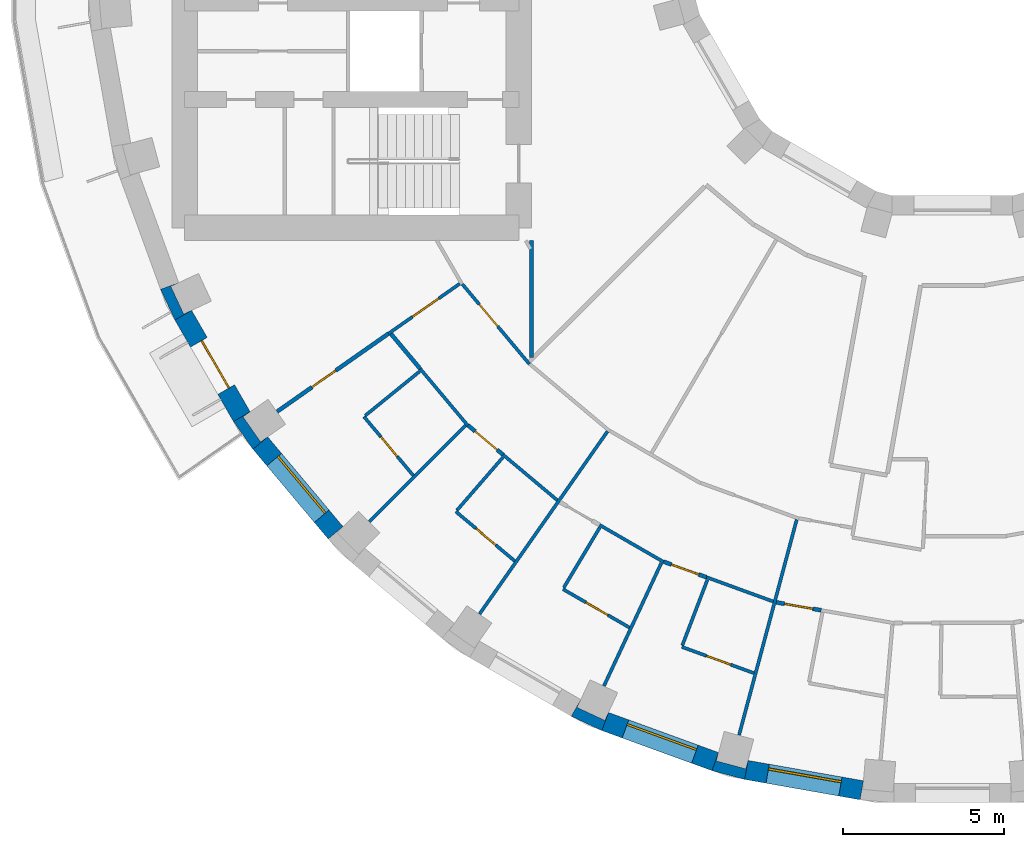
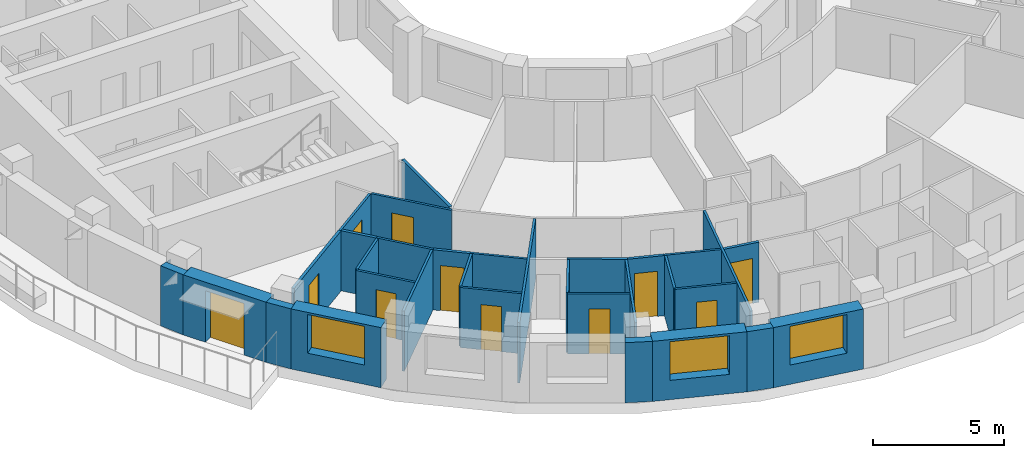
# One storey, part 2 of 12: 32 walls, 11 doors, 3 windows, 14 openings.
"""IFC4 building model written with IfcOpenShell, lengths in metres."""

from ifc_helpers import new_model, si_unit, direction, frame, frame_2d, origin, place, context, subcontext, project, spatial, polyline, rectangle, outline, extrude, material, layer, layer_set, type_object, element, fill, save


model = new_model("IFC4")

# Units and contexts
model_context = context("Model", 3, precision=1e-05, world=origin(), true_north=direction((0.0, 1.0)))
body_context = subcontext(model_context, "Body", "Model", "MODEL_VIEW")
ifc_project = project(units=[si_unit("LENGTHUNIT", "METRE"), si_unit("AREAUNIT", "SQUARE_METRE"), si_unit("VOLUMEUNIT", "CUBIC_METRE"), si_unit("PLANEANGLEUNIT", "RADIAN"), si_unit("MASSUNIT", "GRAM", prefix="KILO")], contexts=[model_context])

# Site, building, storey
site_placement = place(None, origin())
site = spatial("IfcSite", under=ifc_project, at=site_placement, CompositionType="ELEMENT")
building_placement = place(site_placement, origin())
building = spatial("IfcBuilding", under=site, at=building_placement, Name="Saqina Gate Tower", CompositionType="ELEMENT")
storey_placement = place(building_placement, frame((0.0, 0.0, 115.0)))
storey = spatial("IfcBuildingStorey", under=building, at=storey_placement, Name="L32", CompositionType="ELEMENT", Elevation=115.0)

# Walls
ifc_material_1 = material(Name="Brick masonry (buff)", Category="masonry")
wall_type_1 = type_object("IfcWallType", Name="BRICK PIER COPING BUFF", PredefinedType="SOLIDWALL", material=ifc_material_1)
wall_1_placement = place(storey_placement, origin())
element("IfcWall", 1, at=wall_1_placement, inside=storey, type_object=wall_type_1, Name="Pier cap L32 column 21", PredefinedType="SOLIDWALL", context=body_context, shape_type="SweptSolid", body=[
    extrude(outline(polyline([(-24.6513671875, -10.913330078125), (-24.205810546875, -11.869140625), (-23.68603515625, -11.569091796875), (-23.9296875, -11.6826171875), (-24.331298828125, -10.82177734375), (-24.08740234375, -10.7080078125), (-24.6513671875, -10.913330078125)])), origin(), (0.0, 0.0, 1.0), 2.800048828125),
])
wall_2_placement = place(storey_placement, origin())
element("IfcWall", 2, at=wall_2_placement, inside=storey, type_object=wall_type_1, Name="Pier cap L32 column 22", PredefinedType="SOLIDWALL", context=body_context, shape_type="SweptSolid", body=[
    extrude(outline(polyline([(-21.77685546875, -15.89208984375), (-21.317138671875, -15.50634765625), (-21.53759765625, -15.66064453125), (-22.08251953125, -14.88232421875), (-21.862060546875, -14.728271484375), (-22.3818359375, -15.0283203125), (-21.77685546875, -15.89208984375)])), origin(), (0.0, 0.0, 1.0), 2.800048828125),
])
wall_3_placement = place(storey_placement, origin())
element("IfcWall", 3, at=wall_3_placement, inside=storey, type_object=wall_type_1, Name="Pier cap L32 column 25", PredefinedType="SOLIDWALL", context=body_context, shape_type="SweptSolid", body=[
    extrude(outline(polyline([(-10.913330078125, -24.6513671875), (-10.7080078125, -24.08740234375), (-10.82177734375, -24.331298828125), (-11.6826171875, -23.9296875), (-11.569091796875, -23.68603515625), (-11.869140625, -24.205810546875), (-10.913330078125, -24.6513671875)])), origin(), (0.0, 0.0, 1.0), 2.800048828125),
])
wall_4_placement = place(storey_placement, origin())
element("IfcWall", 4, at=wall_4_placement, inside=storey, type_object=wall_type_1, Name="Pier cap L32 column 26", PredefinedType="SOLIDWALL", context=body_context, shape_type="SweptSolid", body=[
    extrude(outline(polyline([(-7.485595703125, -25.89892578125), (-6.466796875, -26.171875), (-6.36279296875, -25.5810546875), (-6.43212890625, -25.8408203125), (-7.349853515625, -25.5947265625), (-7.2802734375, -25.335205078125), (-7.485595703125, -25.89892578125)])), origin(), (0.0, 0.0, 1.0), 2.800048828125),
])

# Wall, opening, door
ifc_material_2 = material(Name="Brick masonry (buff)", Category="masonry")
ifc_layer_1 = layer(ifc_material_2, 0.60009765625)
ifc_layer_set_1 = layer_set([ifc_layer_1], Name="FW-BRICK-BUFF")
wall_type_2 = type_object("IfcWallType", Name="FW-BRICK-BUFF", PredefinedType="SOLIDWALL", material=ifc_layer_set_1)
wall_5_placement = place(storey_placement, frame((-23.94580078125, -11.718994140625, 0.0), z_axis=(0.0, 0.0, 1.0), x_axis=(0.499954196102, -0.866051847062, 0.0)))
wall_5 = element("IfcWall", 5, at=wall_5_placement, inside=storey, type_object=wall_type_2, Name="Facade wall L32 facet 21", PredefinedType="SOLIDWALL", context=body_context, shape_type="SweptSolid", body=[
    extrude(rectangle(XDim=3.647705078125, YDim=0.60009765625, at=frame_2d((1.82373046875, 0.0))), origin(), (0.0, 0.0, 1.0), 2.800048828125),
])
opening_1_placement = place(wall_5_placement, frame((0.973876953125, 0.0, 0.0)))
opening_1 = element("IfcOpeningElement", 6, at=opening_1_placement, cuts=wall_5, Name="Opening G09-D80", PredefinedType="OPENING", context=body_context, shape_type="SweptSolid", body=[
    extrude(rectangle(XDim=1.699951171875, YDim=2.39990234375, at=frame_2d((0.85009765625, 1.199951171875))), frame((0.0, 0.31201171875, 0.0), z_axis=(0.0, -1.0, 0.0), x_axis=(1.0, 0.0, 0.0)), (0.0, 0.0, 1.0), 0.6240234375),
])
ifc_material_3 = material(Name="Aluminium glazing", Category="aluminium")
door_type_1 = type_object("IfcDoorType", Name="GD-B", OperationType="DOUBLE_DOOR_SINGLE_SWING", PredefinedType="DOOR", material=ifc_material_3)
door_1_placement = place(opening_1_placement, frame((1.699951171875, 0.0, 0.0), z_axis=(0.0, 0.0, 1.0), x_axis=(-1.0, 0.0, 0.0)))
door_1 = element("IfcDoor", 7, at=door_1_placement, inside=storey, type_object=door_type_1, Name="Terrace door L32 facet 21", OperationType="DOUBLE_DOOR_SINGLE_SWING", OverallHeight=2.39990234375, OverallWidth=1.699951171875, PredefinedType="DOOR", context=body_context, shape_type="SweptSolid", body=[
    extrude(rectangle(XDim=1.699951171875, YDim=2.39990234375, at=frame_2d((0.85009765625, 1.199951171875))), frame((0.0, -0.0751953125, 0.0), z_axis=(0.0, -1.0, 0.0), x_axis=(1.0, 0.0, 0.0)), (0.0, 0.0, 1.0), 0.050048828125),
])
fill(opening_1, door_1)

# Wall, opening, window
wall_6_placement = place(storey_placement, frame((-21.547119140625, -15.69921875, 0.0), z_axis=(0.0, 0.0, 1.0), x_axis=(0.642774476932, -0.766055462616, 0.0)))
wall_6 = element("IfcWall", 8, at=wall_6_placement, inside=storey, type_object=wall_type_2, Name="Facade wall L32 facet 22", PredefinedType="SOLIDWALL", context=body_context, shape_type="SweptSolid", body=[
    extrude(rectangle(XDim=3.647705078125, YDim=0.60009765625, at=frame_2d((1.82373046875, 0.0))), origin(), (0.0, 0.0, 1.0), 2.800048828125),
])
opening_2_placement = place(wall_6_placement, frame((0.673828125, 0.0, 0.89990234375)))
opening_2 = element("IfcOpeningElement", 9, at=opening_2_placement, cuts=wall_6, Name="Opening G09-W14", PredefinedType="OPENING", context=body_context, shape_type="SweptSolid", body=[
    extrude(rectangle(XDim=2.300048828125, YDim=1.800048828125, at=frame_2d((1.14990234375, 0.89990234375))), frame((0.0, 0.31201171875, 0.0), z_axis=(0.0, -1.0, 0.0), x_axis=(1.0, 0.0, 0.0)), (0.0, 0.0, 1.0), 0.6240234375),
])
ifc_material_4 = material(Name="Aluminium glazing", Category="aluminium")
window_type = type_object("IfcWindowType", Name="WN-B", PartitioningType="SINGLE_PANEL", PredefinedType="WINDOW", material=ifc_material_4)
window_1_placement = place(opening_2_placement, origin())
window_1 = element("IfcWindow", 10, at=window_1_placement, inside=storey, type_object=window_type, Name="Window L32 facet 22", OverallHeight=1.800048828125, OverallWidth=2.300048828125, PartitioningType="SINGLE_PANEL", PredefinedType="WINDOW", context=body_context, shape_type="SweptSolid", body=[
    extrude(rectangle(XDim=2.300048828125, YDim=1.800048828125, at=frame_2d((1.14990234375, 0.89990234375))), frame((0.0, 0.179931640625, 0.0), z_axis=(0.0, -1.0, 0.0), x_axis=(1.0, 0.0, 0.0)), (0.0, 0.0, 1.0), 0.06005859375),
])
fill(opening_2, window_1)

wall_7_placement = place(storey_placement, frame((-10.810791015625, -24.369384765625, 0.0), z_axis=(0.0, 0.0, 1.0), x_axis=(0.939703505393, -0.341990236633, 0.0)))
wall_7 = element("IfcWall", 11, at=wall_7_placement, inside=storey, type_object=wall_type_2, Name="Facade wall L32 facet 25", PredefinedType="SOLIDWALL", context=body_context, shape_type="SweptSolid", body=[
    extrude(rectangle(XDim=3.64794921875, YDim=0.60009765625, at=frame_2d((1.823974609375, 0.0))), origin(), (0.0, 0.0, 1.0), 2.800048828125),
])
opening_3_placement = place(wall_7_placement, frame((0.673828125, 0.0, 0.89990234375)))
opening_3 = element("IfcOpeningElement", 12, at=opening_3_placement, cuts=wall_7, Name="Opening G09-W17", PredefinedType="OPENING", context=body_context, shape_type="SweptSolid", body=[
    extrude(rectangle(XDim=2.300048828125, YDim=1.800048828125, at=frame_2d((1.14990234375, 0.89990234375))), frame((0.0, 0.31201171875, 0.0), z_axis=(0.0, -1.0, 0.0), x_axis=(1.0, 0.0, 0.0)), (0.0, 0.0, 1.0), 0.6240234375),
])
window_2_placement = place(opening_3_placement, origin())
window_2 = element("IfcWindow", 13, at=window_2_placement, inside=storey, type_object=window_type, Name="Window L32 facet 25", OverallHeight=1.800048828125, OverallWidth=2.300048828125, PartitioningType="SINGLE_PANEL", PredefinedType="WINDOW", context=body_context, shape_type="SweptSolid", body=[
    extrude(rectangle(XDim=2.300048828125, YDim=1.800048828125, at=frame_2d((1.14990234375, 0.89990234375))), frame((0.0, 0.179931640625, 0.0), z_axis=(0.0, -1.0, 0.0), x_axis=(1.0, 0.0, 0.0)), (0.0, 0.0, 1.0), 0.06005859375),
])
fill(opening_3, window_2)

wall_8_placement = place(storey_placement, frame((-6.414794921875, -25.87646484375, 0.0), z_axis=(0.0, 0.0, 1.0), x_axis=(0.984803764455, -0.173670796382, 0.0)))
wall_8 = element("IfcWall", 14, at=wall_8_placement, inside=storey, type_object=wall_type_2, Name="Facade wall L32 facet 26", PredefinedType="SOLIDWALL", context=body_context, shape_type="SweptSolid", body=[
    extrude(rectangle(XDim=3.64794921875, YDim=0.60009765625, at=frame_2d((1.823974609375, 0.0))), origin(), (0.0, 0.0, 1.0), 2.800048828125),
])
opening_4_placement = place(wall_8_placement, frame((0.673828125, 0.0, 0.89990234375)))
opening_4 = element("IfcOpeningElement", 15, at=opening_4_placement, cuts=wall_8, Name="Opening G09-W18", PredefinedType="OPENING", context=body_context, shape_type="SweptSolid", body=[
    extrude(rectangle(XDim=2.300048828125, YDim=1.800048828125, at=frame_2d((1.14990234375, 0.89990234375))), frame((0.0, 0.31201171875, 0.0), z_axis=(0.0, -1.0, 0.0), x_axis=(1.0, 0.0, 0.0)), (0.0, 0.0, 1.0), 0.6240234375),
])
window_3_placement = place(opening_4_placement, origin())
window_3 = element("IfcWindow", 16, at=window_3_placement, inside=storey, type_object=window_type, Name="Window L32 facet 26", OverallHeight=1.800048828125, OverallWidth=2.300048828125, PartitioningType="SINGLE_PANEL", PredefinedType="WINDOW", context=body_context, shape_type="SweptSolid", body=[
    extrude(rectangle(XDim=2.300048828125, YDim=1.800048828125, at=frame_2d((1.14990234375, 0.89990234375))), frame((0.0, 0.179931640625, 0.0), z_axis=(0.0, -1.0, 0.0), x_axis=(1.0, 0.0, 0.0)), (0.0, 0.0, 1.0), 0.06005859375),
])
fill(opening_4, window_3)

# Wall, opening, door
ifc_material_5 = material(Name="Gypsum board on steel studs, 100 mm", Category="steel")
ifc_layer_2 = layer(ifc_material_5, 0.10009765625)
ifc_layer_set_2 = layer_set([ifc_layer_2], Name="PARTITION 100")
wall_type_3 = type_object("IfcWallType", Name="PARTITION 100", PredefinedType="PARTITIONING", material=ifc_layer_set_2)
wall_9_placement = place(storey_placement, frame((-18.320068359375, -14.8779296875, 0.0), z_axis=(0.0, 0.0, 1.0), x_axis=(0.642579420328, -0.766219086535, 0.0)))
wall_9 = element("IfcWall", 17, at=wall_9_placement, inside=storey, type_object=wall_type_3, Name="PARTITION PW3-19", PredefinedType="PARTITIONING", context=body_context, shape_type="SweptSolid", body=[
    extrude(rectangle(XDim=2.393310546875, YDim=0.10009765625, at=frame_2d((1.19677734375, 0.0))), origin(), (0.0, 0.0, 1.0), 2.800048828125),
])
opening_5_placement = place(wall_9_placement, frame((0.821533203125, 0.0, 0.0)))
opening_5 = element("IfcOpeningElement", 18, at=opening_5_placement, cuts=wall_9, Name="Opening G09-D32", PredefinedType="OPENING", context=body_context, shape_type="SweptSolid", body=[
    extrude(rectangle(XDim=0.800048828125, YDim=2.10009765625, at=frame_2d((0.39990234375, 1.050048828125))), frame((0.0, 0.06201171875, 0.0), z_axis=(0.0, -1.0, 0.0), x_axis=(1.0, 0.0, 0.0)), (0.0, 0.0, 1.0), 0.1240234375),
])
ifc_material_6 = material(Name="Timber door leaf, 800 mm", Category="wood")
door_type_2 = type_object("IfcDoorType", Name="DOOR 800 TIMBER", OperationType="SINGLE_SWING_LEFT", PredefinedType="DOOR", material=ifc_material_6)
door_2_placement = place(opening_5_placement, frame((0.800048828125, 0.0, 0.0), z_axis=(0.0, 0.0, 1.0), x_axis=(-1.0, 0.0, 0.0)))
door_2 = element("IfcDoor", 19, at=door_2_placement, inside=storey, type_object=door_type_2, Name="DOOR G09-D32", OperationType="SINGLE_SWING_LEFT", OverallHeight=2.10009765625, OverallWidth=0.800048828125, PredefinedType="DOOR", context=body_context, shape_type="SweptSolid", body=[
    extrude(rectangle(XDim=0.800048828125, YDim=2.10009765625, at=frame_2d((0.39990234375, 1.050048828125))), frame((0.0, 0.02490234375, 0.0), z_axis=(0.0, -1.0, 0.0), x_axis=(1.0, 0.0, 0.0)), (0.0, 0.0, 1.0), 0.050048828125),
])
fill(opening_5, door_2)

# Wall
wall_10_placement = place(storey_placement, frame((-16.566162109375, -13.3896484375, 0.0), z_axis=(0.0, 0.0, 1.0), x_axis=(0.642674527844, -0.76613931583, 0.0)))
element("IfcWall", 20, at=wall_10_placement, inside=storey, type_object=wall_type_3, Name="PARTITION PW3-20", PredefinedType="PARTITIONING", context=body_context, shape_type="SweptSolid", body=[
    extrude(rectangle(XDim=2.3017578125, YDim=0.10009765625, at=frame_2d((1.15087890625, 0.0))), origin(), (0.0, 0.0, 1.0), 2.800048828125),
])

# Wall, opening, door
wall_11_placement = place(storey_placement, frame((-15.261962890625, -10.747314453125, 0.0), z_axis=(0.0, 0.0, 1.0), x_axis=(0.642806814248, -0.766028328168, 0.0)))
wall_11 = element("IfcWall", 21, at=wall_11_placement, inside=storey, type_object=wall_type_3, Name="PARTITION PW3-21", PredefinedType="PARTITIONING", context=body_context, shape_type="SweptSolid", body=[
    extrude(rectangle(XDim=3.25537109375, YDim=0.10009765625, at=frame_2d((1.627685546875, 0.0))), origin(), (0.0, 0.0, 1.0), 2.800048828125),
])
opening_6_placement = place(wall_11_placement, frame((0.8271484375, 0.0, 0.0)))
opening_6 = element("IfcOpeningElement", 22, at=opening_6_placement, cuts=wall_11, Name="Opening G09-D31", PredefinedType="OPENING", context=body_context, shape_type="SweptSolid", body=[
    extrude(rectangle(XDim=0.89990234375, YDim=2.10009765625, at=frame_2d((0.449951171875, 1.050048828125))), frame((0.0, 0.06201171875, 0.0), z_axis=(0.0, -1.0, 0.0), x_axis=(1.0, 0.0, 0.0)), (0.0, 0.0, 1.0), 0.1240234375),
])
ifc_material_7 = material(Name="Timber door leaf, 900 mm", Category="wood")
door_type_3 = type_object("IfcDoorType", Name="DOOR 900 TIMBER", OperationType="SINGLE_SWING_LEFT", PredefinedType="DOOR", material=ifc_material_7)
door_3_placement = place(opening_6_placement, origin())
door_3 = element("IfcDoor", 23, at=door_3_placement, inside=storey, type_object=door_type_3, Name="DOOR G09-D31", OperationType="SINGLE_SWING_RIGHT", OverallHeight=2.10009765625, OverallWidth=0.89990234375, PredefinedType="DOOR", context=body_context, shape_type="SweptSolid", body=[
    extrude(rectangle(XDim=0.89990234375, YDim=2.10009765625, at=frame_2d((0.449951171875, 1.050048828125))), frame((0.0, 0.02490234375, 0.0), z_axis=(0.0, -1.0, 0.0), x_axis=(1.0, 0.0, 0.0)), (0.0, 0.0, 1.0), 0.050048828125),
])
fill(opening_6, door_3)

wall_12_placement = place(storey_placement, frame((-15.4580078125, -17.8330078125, 0.0), z_axis=(0.0, 0.0, 1.0), x_axis=(0.765849546445, -0.643019807012, 0.0)))
wall_12 = element("IfcWall", 24, at=wall_12_placement, inside=storey, type_object=wall_type_3, Name="PARTITION PW3-24", PredefinedType="PARTITIONING", context=body_context, shape_type="SweptSolid", body=[
    extrude(rectangle(XDim=2.39306640625, YDim=0.10009765625, at=frame_2d((1.196533203125, 0.0))), origin(), (0.0, 0.0, 1.0), 2.800048828125),
])
opening_7_placement = place(wall_12_placement, frame((0.821533203125, 0.0, 0.0)))
opening_7 = element("IfcOpeningElement", 25, at=opening_7_placement, cuts=wall_12, Name="Opening G09-D34", PredefinedType="OPENING", context=body_context, shape_type="SweptSolid", body=[
    extrude(rectangle(XDim=0.800048828125, YDim=2.10009765625, at=frame_2d((0.39990234375, 1.050048828125))), frame((0.0, 0.06201171875, 0.0), z_axis=(0.0, -1.0, 0.0), x_axis=(1.0, 0.0, 0.0)), (0.0, 0.0, 1.0), 0.1240234375),
])
door_4_placement = place(opening_7_placement, frame((0.800048828125, 0.0, 0.0), z_axis=(0.0, 0.0, 1.0), x_axis=(-1.0, 0.0, 0.0)))
door_4 = element("IfcDoor", 26, at=door_4_placement, inside=storey, type_object=door_type_2, Name="DOOR G09-D34", OperationType="SINGLE_SWING_LEFT", OverallHeight=2.10009765625, OverallWidth=0.800048828125, PredefinedType="DOOR", context=body_context, shape_type="SweptSolid", body=[
    extrude(rectangle(XDim=0.800048828125, YDim=2.10009765625, at=frame_2d((0.39990234375, 1.050048828125))), frame((0.0, 0.02490234375, 0.0), z_axis=(0.0, -1.0, 0.0), x_axis=(1.0, 0.0, 0.0)), (0.0, 0.0, 1.0), 0.050048828125),
])
fill(opening_7, door_4)

# Wall
wall_13_placement = place(storey_placement, frame((-13.9892578125, -16.062744140625, 0.0), z_axis=(0.0, 0.0, 1.0), x_axis=(0.766038513467, -0.642794676305, 0.0)))
element("IfcWall", 27, at=wall_13_placement, inside=storey, type_object=wall_type_3, Name="PARTITION PW3-25", PredefinedType="PARTITIONING", context=body_context, shape_type="SweptSolid", body=[
    extrude(rectangle(XDim=2.204833984375, YDim=0.10009765625, at=frame_2d((1.1025390625, 0.0))), origin(), (0.0, 0.0, 1.0), 2.800048828125),
])

# Wall, opening, door
wall_14_placement = place(storey_placement, frame((-12.1259765625, -20.2470703125, 0.0), z_axis=(0.0, 0.0, 1.0), x_axis=(0.866042831623, -0.499969812883, 0.0)))
wall_14 = element("IfcWall", 28, at=wall_14_placement, inside=storey, type_object=wall_type_3, Name="PARTITION PW3-31", PredefinedType="PARTITIONING", context=body_context, shape_type="SweptSolid", body=[
    extrude(rectangle(XDim=2.392333984375, YDim=0.10009765625, at=frame_2d((1.1962890625, 0.0))), origin(), (0.0, 0.0, 1.0), 2.800048828125),
])
opening_8_placement = place(wall_14_placement, frame((0.821044921875, 0.0, 0.0)))
opening_8 = element("IfcOpeningElement", 29, at=opening_8_placement, cuts=wall_14, Name="Opening G09-D37", PredefinedType="OPENING", context=body_context, shape_type="SweptSolid", body=[
    extrude(rectangle(XDim=0.800048828125, YDim=2.10009765625, at=frame_2d((0.39990234375, 1.050048828125))), frame((0.0, 0.06201171875, 0.0), z_axis=(0.0, -1.0, 0.0), x_axis=(1.0, 0.0, 0.0)), (0.0, 0.0, 1.0), 0.1240234375),
])
door_5_placement = place(opening_8_placement, frame((0.800048828125, 0.0, 0.0), z_axis=(0.0, 0.0, 1.0), x_axis=(-1.0, 0.0, 0.0)))
door_5 = element("IfcDoor", 30, at=door_5_placement, inside=storey, type_object=door_type_2, Name="DOOR G09-D37", OperationType="SINGLE_SWING_LEFT", OverallHeight=2.10009765625, OverallWidth=0.800048828125, PredefinedType="DOOR", context=body_context, shape_type="SweptSolid", body=[
    extrude(rectangle(XDim=0.800048828125, YDim=2.10009765625, at=frame_2d((0.39990234375, 1.050048828125))), frame((0.0, 0.02490234375, 0.0), z_axis=(0.0, -1.0, 0.0), x_axis=(1.0, 0.0, 0.0)), (0.0, 0.0, 1.0), 0.050048828125),
])
fill(opening_8, door_5)

# Walls
wall_15_placement = place(storey_placement, frame((-10.9873046875, -18.248046875, 0.0), z_axis=(0.0, 0.0, 1.0), x_axis=(0.865887497708, -0.500238784294, 0.0)))
element("IfcWall", 31, at=wall_15_placement, inside=storey, type_object=wall_type_3, Name="PARTITION PW3-32", PredefinedType="PARTITIONING", context=body_context, shape_type="SweptSolid", body=[
    extrude(rectangle(XDim=2.305419921875, YDim=0.10009765625, at=frame_2d((1.15283203125, 0.0))), origin(), (0.0, 0.0, 1.0), 2.800048828125),
])
wall_16_placement = place(storey_placement, frame((-7.6513671875, -19.877197265625, 0.0), z_axis=(0.0, 0.0, 1.0), x_axis=(0.939404870565, -0.342809698169, 0.0)))
element("IfcWall", 32, at=wall_16_placement, inside=storey, type_object=wall_type_3, Name="PARTITION PW3-38", PredefinedType="PARTITIONING", context=body_context, shape_type="SweptSolid", body=[
    extrude(rectangle(XDim=2.204833984375, YDim=0.10009765625, at=frame_2d((1.1025390625, 0.0))), origin(), (0.0, 0.0, 1.0), 2.800048828125),
])

# Wall, opening, door
wall_17_placement = place(storey_placement, frame((-8.426025390625, -22.044921875, 0.0), z_axis=(0.0, 0.0, 1.0), x_axis=(0.93973977618, -0.341890557146, 0.0)))
wall_17 = element("IfcWall", 33, at=wall_17_placement, inside=storey, type_object=wall_type_3, Name="PARTITION PW3-39", PredefinedType="PARTITIONING", context=body_context, shape_type="SweptSolid", body=[
    extrude(rectangle(XDim=2.39208984375, YDim=0.10009765625, at=frame_2d((1.196044921875, 0.0))), origin(), (0.0, 0.0, 1.0), 2.800048828125),
])
opening_9_placement = place(wall_17_placement, frame((0.821044921875, 0.0, 0.0)))
opening_9 = element("IfcOpeningElement", 34, at=opening_9_placement, cuts=wall_17, Name="Opening G09-D40", PredefinedType="OPENING", context=body_context, shape_type="SweptSolid", body=[
    extrude(rectangle(XDim=0.800048828125, YDim=2.10009765625, at=frame_2d((0.39990234375, 1.050048828125))), frame((0.0, 0.06201171875, 0.0), z_axis=(0.0, -1.0, 0.0), x_axis=(1.0, 0.0, 0.0)), (0.0, 0.0, 1.0), 0.1240234375),
])
door_6_placement = place(opening_9_placement, frame((0.800048828125, 0.0, 0.0), z_axis=(0.0, 0.0, 1.0), x_axis=(-1.0, 0.0, 0.0)))
door_6 = element("IfcDoor", 35, at=door_6_placement, inside=storey, type_object=door_type_2, Name="DOOR G09-D40", OperationType="SINGLE_SWING_LEFT", OverallHeight=2.10009765625, OverallWidth=0.800048828125, PredefinedType="DOOR", context=body_context, shape_type="SweptSolid", body=[
    extrude(rectangle(XDim=0.800048828125, YDim=2.10009765625, at=frame_2d((0.39990234375, 1.050048828125))), frame((0.0, 0.02490234375, 0.0), z_axis=(0.0, -1.0, 0.0), x_axis=(1.0, 0.0, 0.0)), (0.0, 0.0, 1.0), 0.050048828125),
])
fill(opening_9, door_6)

wall_18_placement = place(storey_placement, frame((-17.552978515625, -12.290771484375, 0.0), z_axis=(0.0, 0.0, 1.0), x_axis=(0.819126011037, 0.573613613893, 0.0)))
wall_18 = element("IfcWall", 36, at=wall_18_placement, inside=storey, type_object=wall_type_3, Name="PARTITION PW3-72", PredefinedType="PARTITIONING", context=body_context, shape_type="SweptSolid", body=[
    extrude(rectangle(XDim=2.707763671875, YDim=0.10009765625, at=frame_2d((1.35400390625, 0.0))), origin(), (0.0, 0.0, 1.0), 2.800048828125),
])
opening_10_placement = place(wall_18_placement, frame((0.90380859375, 0.0, 0.0)))
opening_10 = element("IfcOpeningElement", 37, at=opening_10_placement, cuts=wall_18, Name="Opening G09-D29", PredefinedType="OPENING", context=body_context, shape_type="SweptSolid", body=[
    extrude(rectangle(XDim=1.0, YDim=2.10009765625, at=frame_2d((0.5, 1.050048828125))), frame((0.0, 0.06201171875, 0.0), z_axis=(0.0, -1.0, 0.0), x_axis=(1.0, 0.0, 0.0)), (0.0, 0.0, 1.0), 0.1240234375),
])
ifc_material_8 = material(Name="Timber door leaf, 1000 mm", Category="wood")
door_type_4 = type_object("IfcDoorType", Name="DOOR 1000 TIMBER", OperationType="SINGLE_SWING_LEFT", PredefinedType="DOOR", material=ifc_material_8)
door_7_placement = place(opening_10_placement, origin())
door_7 = element("IfcDoor", 38, at=door_7_placement, inside=storey, type_object=door_type_4, Name="DOOR G09-D29", OperationType="SINGLE_SWING_RIGHT", OverallHeight=2.10009765625, OverallWidth=1.0, PredefinedType="DOOR", context=body_context, shape_type="SweptSolid", body=[
    extrude(rectangle(XDim=1.0, YDim=2.10009765625, at=frame_2d((0.5, 1.050048828125))), frame((0.0, 0.02490234375, 0.0), z_axis=(0.0, -1.0, 0.0), x_axis=(1.0, 0.0, 0.0)), (0.0, 0.0, 1.0), 0.050048828125),
])
fill(opening_10, door_7)

# Walls
wall_19_placement = place(storey_placement, frame((-18.28125, -14.846435546875, 0.0), z_axis=(0.0, 0.0, 1.0), x_axis=(0.77635285049, 0.630298541595, 0.0)))
element("IfcWall", 39, at=wall_19_placement, inside=storey, type_object=wall_type_3, Name="PARTITION PW3-73", PredefinedType="PARTITIONING", context=body_context, shape_type="SweptSolid", body=[
    extrude(rectangle(XDim=2.18798828125, YDim=0.10009765625, at=frame_2d((1.093994140625, 0.0))), origin(), (0.0, 0.0, 1.0), 2.800048828125),
])
wall_20_placement = place(storey_placement, frame((-18.14794921875, -18.14794921875, 0.0), z_axis=(0.0, 0.0, 1.0), x_axis=(0.707106781187, 0.707106781187, 0.0)))
element("IfcWall", 40, at=wall_20_placement, inside=storey, type_object=wall_type_3, Name="PARTITION PW3-77", PredefinedType="PARTITIONING", context=body_context, shape_type="SweptSolid", body=[
    extrude(rectangle(XDim=4.236328125, YDim=0.10009765625, at=frame_2d((2.1181640625, 0.0))), origin(), (0.0, 0.0, 1.0), 2.800048828125),
])
wall_21_placement = place(storey_placement, frame((-15.42529296875, -17.795166015625, 0.0), z_axis=(0.0, 0.0, 1.0), x_axis=(0.65516417325, 0.755486536008, 0.0)))
element("IfcWall", 41, at=wall_21_placement, inside=storey, type_object=wall_type_3, Name="PARTITION PW3-79", PredefinedType="PARTITIONING", context=body_context, shape_type="SweptSolid", body=[
    extrude(rectangle(XDim=2.187744140625, YDim=0.10009765625, at=frame_2d((1.09375, 0.0))), origin(), (0.0, 0.0, 1.0), 2.800048828125),
])
wall_22_placement = place(storey_placement, frame((-14.721923828125, -21.02294921875, 0.0), z_axis=(0.0, 0.0, 1.0), x_axis=(0.573811489918, 0.818987407741, 0.0)))
element("IfcWall", 42, at=wall_22_placement, inside=storey, type_object=wall_type_3, Name="PARTITION PW3-83", PredefinedType="PARTITIONING", context=body_context, shape_type="SweptSolid", body=[
    extrude(rectangle(XDim=6.944580078125, YDim=0.10009765625, at=frame_2d((3.47216796875, 0.0))), origin(), (0.0, 0.0, 1.0), 2.800048828125),
])
wall_23_placement = place(storey_placement, frame((-12.100341796875, -20.2041015625, 0.0), z_axis=(0.0, 0.0, 1.0), x_axis=(0.513757266297, 0.857935586933, 0.0)))
element("IfcWall", 43, at=wall_23_placement, inside=storey, type_object=wall_type_3, Name="PARTITION PW3-85", PredefinedType="PARTITIONING", context=body_context, shape_type="SweptSolid", body=[
    extrude(rectangle(XDim=2.188232421875, YDim=0.10009765625, at=frame_2d((1.09423828125, 0.0))), origin(), (0.0, 0.0, 1.0), 2.800048828125),
])
wall_24_placement = place(storey_placement, frame((-10.847412109375, -23.260009765625, 0.0), z_axis=(0.0, 0.0, 1.0), x_axis=(0.422841161976, 0.906203813575, 0.0)))
element("IfcWall", 44, at=wall_24_placement, inside=storey, type_object=wall_type_3, Name="PARTITION PW3-93", PredefinedType="PARTITIONING", context=body_context, shape_type="SweptSolid", body=[
    extrude(rectangle(XDim=4.2236328125, YDim=0.10009765625, at=frame_2d((2.11181640625, 0.0))), origin(), (0.0, 0.0, 1.0), 2.800048828125),
])
wall_25_placement = place(storey_placement, frame((-8.408203125, -21.998291015625, 0.0), z_axis=(0.0, 0.0, 1.0), x_axis=(0.356937039246, 0.934128444067, 0.0)))
element("IfcWall", 45, at=wall_25_placement, inside=storey, type_object=wall_type_3, Name="PARTITION PW3-96", PredefinedType="PARTITIONING", context=body_context, shape_type="SweptSolid", body=[
    extrude(rectangle(XDim=2.18798828125, YDim=0.10009765625, at=frame_2d((1.093994140625, 0.0))), origin(), (0.0, 0.0, 1.0), 2.800048828125),
])
wall_26_placement = place(storey_placement, frame((-6.641845703125, -24.790771484375, 0.0), z_axis=(0.0, 0.0, 1.0), x_axis=(0.258515851323, 0.966007015821, 0.0)))
element("IfcWall", 46, at=wall_26_placement, inside=storey, type_object=wall_type_3, Name="PARTITION PW3-98", PredefinedType="PARTITIONING", context=body_context, shape_type="SweptSolid", body=[
    extrude(rectangle(XDim=6.945068359375, YDim=0.10009765625, at=frame_2d((3.47265625, 0.0))), origin(), (0.0, 0.0, 1.0), 2.800048828125),
])
ifc_material_9 = material(Name="Gypsum board on steel studs, 125 mm, fire rated", Category="steel")
ifc_layer_3 = layer(ifc_material_9, 0.125)
ifc_layer_set_3 = layer_set([ifc_layer_3], Name="PARTITION EI 30 125")
wall_type_4 = type_object("IfcWallType", Name="PARTITION EI 30 125", PredefinedType="PARTITIONING", material=ifc_layer_set_3)
wall_27_placement = place(storey_placement, frame((-17.479736328125, -12.30029296875, 0.0), z_axis=(0.0, 0.0, 1.0), x_axis=(0.642579742467, -0.766218816378, 0.0)))
element("IfcWall", 47, at=wall_27_placement, inside=storey, type_object=wall_type_4, Name="PARTITION PW1-03", PredefinedType="PARTITIONING", context=body_context, shape_type="SweptSolid", body=[
    extrude(rectangle(XDim=1.421630859375, YDim=0.125, at=frame_2d((0.7109375, 0.0))), origin(), (0.0, 0.0, 1.0), 2.800048828125),
])

# Wall, opening, door
wall_28_placement = place(storey_placement, frame((-15.08154296875, -15.146728515625, 0.0), z_axis=(0.0, 0.0, 1.0), x_axis=(0.766139864475, -0.642673873798, 0.0)))
wall_28 = element("IfcWall", 48, at=wall_28_placement, inside=storey, type_object=wall_type_4, Name="PARTITION PW1-08", PredefinedType="PARTITIONING", context=body_context, shape_type="SweptSolid", body=[
    extrude(rectangle(XDim=1.42578125, YDim=0.125, at=frame_2d((0.712890625, 0.0))), origin(), (0.0, 0.0, 1.0), 2.800048828125),
])
opening_11_placement = place(wall_28_placement, frame((0.28759765625, 0.0, 0.0)))
opening_11 = element("IfcOpeningElement", 49, at=opening_11_placement, cuts=wall_28, Name="Opening G09-D33", PredefinedType="OPENING", context=body_context, shape_type="SweptSolid", body=[
    extrude(rectangle(XDim=0.89990234375, YDim=2.10009765625, at=frame_2d((0.449951171875, 1.050048828125))), frame((0.0, 0.074462890625, 0.0), z_axis=(0.0, -1.0, 0.0), x_axis=(1.0, 0.0, 0.0)), (0.0, 0.0, 1.0), 0.14892578125),
])
ifc_material_10 = material(Name="Fire door leaf EI 30, 900 mm")
door_type_5 = type_object("IfcDoorType", Name="DOOR 900 EI 30", OperationType="SINGLE_SWING_LEFT", PredefinedType="DOOR", material=ifc_material_10)
door_8_placement = place(opening_11_placement, origin())
door_8 = element("IfcDoor", 50, at=door_8_placement, inside=storey, type_object=door_type_5, Name="DOOR G09-D33", OperationType="SINGLE_SWING_LEFT", OverallHeight=2.10009765625, OverallWidth=0.89990234375, PredefinedType="DOOR", context=body_context, shape_type="SweptSolid", body=[
    extrude(rectangle(XDim=0.89990234375, YDim=2.10009765625, at=frame_2d((0.449951171875, 1.050048828125))), frame((0.0, 0.02490234375, 0.0), z_axis=(0.0, -1.0, 0.0), x_axis=(1.0, 0.0, 0.0)), (0.0, 0.0, 1.0), 0.050048828125),
])
fill(opening_11, door_8)

wall_29_placement = place(storey_placement, frame((-8.988037109375, -19.39306640625, 0.0), z_axis=(0.0, 0.0, 1.0), x_axis=(0.939783394235, -0.341770642275, 0.0)))
wall_29 = element("IfcWall", 51, at=wall_29_placement, inside=storey, type_object=wall_type_4, Name="PARTITION PW1-15", PredefinedType="PARTITIONING", context=body_context, shape_type="SweptSolid", body=[
    extrude(rectangle(XDim=1.421630859375, YDim=0.125, at=frame_2d((0.7109375, 0.0))), origin(), (0.0, 0.0, 1.0), 2.800048828125),
])
opening_12_placement = place(wall_29_placement, frame((0.2607421875, 0.0, 0.0)))
opening_12 = element("IfcOpeningElement", 52, at=opening_12_placement, cuts=wall_29, Name="Opening G09-D38", PredefinedType="OPENING", context=body_context, shape_type="SweptSolid", body=[
    extrude(rectangle(XDim=0.89990234375, YDim=2.10009765625, at=frame_2d((0.449951171875, 1.050048828125))), frame((0.0, 0.074462890625, 0.0), z_axis=(0.0, -1.0, 0.0), x_axis=(1.0, 0.0, 0.0)), (0.0, 0.0, 1.0), 0.14892578125),
])
door_9_placement = place(opening_12_placement, origin())
door_9 = element("IfcDoor", 53, at=door_9_placement, inside=storey, type_object=door_type_5, Name="DOOR G09-D38", OperationType="SINGLE_SWING_LEFT", OverallHeight=2.10009765625, OverallWidth=0.89990234375, PredefinedType="DOOR", context=body_context, shape_type="SweptSolid", body=[
    extrude(rectangle(XDim=0.89990234375, YDim=2.10009765625, at=frame_2d((0.449951171875, 1.050048828125))), frame((0.0, 0.02490234375, 0.0), z_axis=(0.0, -1.0, 0.0), x_axis=(1.0, 0.0, 0.0)), (0.0, 0.0, 1.0), 0.050048828125),
])
fill(opening_12, door_9)

wall_30_placement = place(storey_placement, frame((-5.483642578125, -20.65869140625, 0.0), z_axis=(0.0, 0.0, 1.0), x_axis=(0.984828496868, -0.173530492295, 0.0)))
wall_30 = element("IfcWall", 54, at=wall_30_placement, inside=storey, type_object=wall_type_4, Name="PARTITION PW1-19", PredefinedType="PARTITIONING", context=body_context, shape_type="SweptSolid", body=[
    extrude(rectangle(XDim=1.4208984375, YDim=0.125, at=frame_2d((0.71044921875, 0.0))), origin(), (0.0, 0.0, 1.0), 2.800048828125),
])
opening_13_placement = place(wall_30_placement, frame((0.260498046875, 0.0, 0.0)))
opening_13 = element("IfcOpeningElement", 55, at=opening_13_placement, cuts=wall_30, Name="Opening G09-D41", PredefinedType="OPENING", context=body_context, shape_type="SweptSolid", body=[
    extrude(rectangle(XDim=0.89990234375, YDim=2.10009765625, at=frame_2d((0.449951171875, 1.050048828125))), frame((0.0, 0.074462890625, 0.0), z_axis=(0.0, -1.0, 0.0), x_axis=(1.0, 0.0, 0.0)), (0.0, 0.0, 1.0), 0.14892578125),
])
door_10_placement = place(opening_13_placement, origin())
door_10 = element("IfcDoor", 56, at=door_10_placement, inside=storey, type_object=door_type_5, Name="DOOR G09-D41", OperationType="SINGLE_SWING_LEFT", OverallHeight=2.10009765625, OverallWidth=0.89990234375, PredefinedType="DOOR", context=body_context, shape_type="SweptSolid", body=[
    extrude(rectangle(XDim=0.89990234375, YDim=2.10009765625, at=frame_2d((0.449951171875, 1.050048828125))), frame((0.0, 0.02490234375, 0.0), z_axis=(0.0, -1.0, 0.0), x_axis=(1.0, 0.0, 0.0)), (0.0, 0.0, 1.0), 0.050048828125),
])
fill(opening_13, door_10)

wall_31_placement = place(storey_placement, frame((-21.023681640625, -14.720703125, 0.0), z_axis=(0.0, 0.0, 1.0), x_axis=(0.819183188517, 0.573531955213, 0.0)))
wall_31 = element("IfcWall", 57, at=wall_31_placement, inside=storey, type_object=wall_type_4, Name="PARTITION PW1-37", PredefinedType="PARTITIONING", context=body_context, shape_type="SweptSolid", body=[
    extrude(rectangle(XDim=4.23681640625, YDim=0.125, at=frame_2d((2.118408203125, 0.0))), origin(), (0.0, 0.0, 1.0), 2.800048828125),
])
opening_14_placement = place(wall_31_placement, frame((1.326904296875, 0.0, 0.0)))
opening_14 = element("IfcOpeningElement", 58, at=opening_14_placement, cuts=wall_31, Name="Opening G09-D30", PredefinedType="OPENING", context=body_context, shape_type="SweptSolid", body=[
    extrude(rectangle(XDim=0.89990234375, YDim=2.10009765625, at=frame_2d((0.449951171875, 1.050048828125))), frame((0.0, 0.074462890625, 0.0), z_axis=(0.0, -1.0, 0.0), x_axis=(1.0, 0.0, 0.0)), (0.0, 0.0, 1.0), 0.14892578125),
])
door_11_placement = place(opening_14_placement, origin())
door_11 = element("IfcDoor", 59, at=door_11_placement, inside=storey, type_object=door_type_5, Name="DOOR G09-D30", OperationType="SINGLE_SWING_LEFT", OverallHeight=2.10009765625, OverallWidth=0.89990234375, PredefinedType="DOOR", context=body_context, shape_type="SweptSolid", body=[
    extrude(rectangle(XDim=0.89990234375, YDim=2.10009765625, at=frame_2d((0.449951171875, 1.050048828125))), frame((0.0, 0.02490234375, 0.0), z_axis=(0.0, -1.0, 0.0), x_axis=(1.0, 0.0, 0.0)), (0.0, 0.0, 1.0), 0.050048828125),
])
fill(opening_14, door_11)

# Wall
wall_32_placement = place(storey_placement, frame((-13.10009765625, -13.032470703125, 0.0), z_axis=(0.0, 0.0, 1.0), x_axis=(0.0, 1.0, 0.0)))
element("IfcWall", 60, at=wall_32_placement, inside=storey, type_object=wall_type_4, Name="PARTITION PW1-51", PredefinedType="PARTITIONING", context=body_context, shape_type="SweptSolid", body=[
    extrude(rectangle(XDim=3.632568359375, YDim=0.125, at=frame_2d((1.81640625, 0.0))), origin(), (0.0, 0.0, 1.0), 2.800048828125),
])

save(model, "model.ifc")
